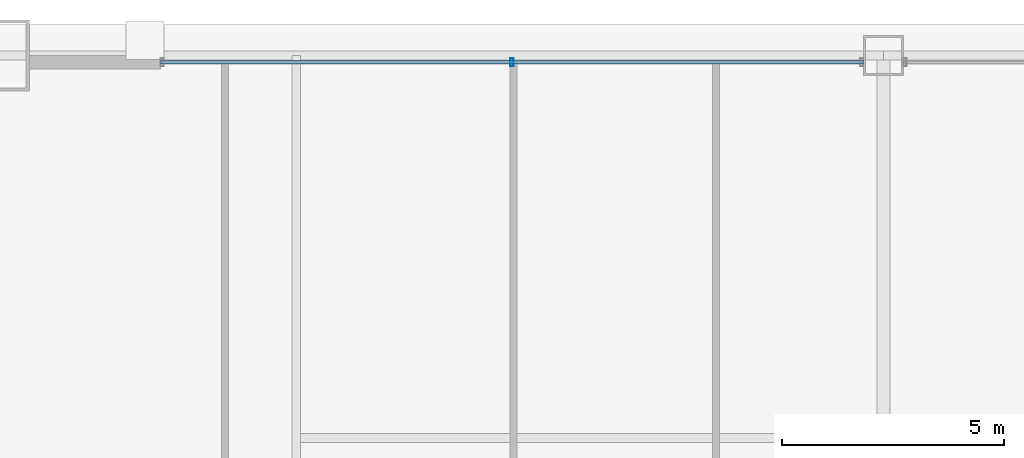
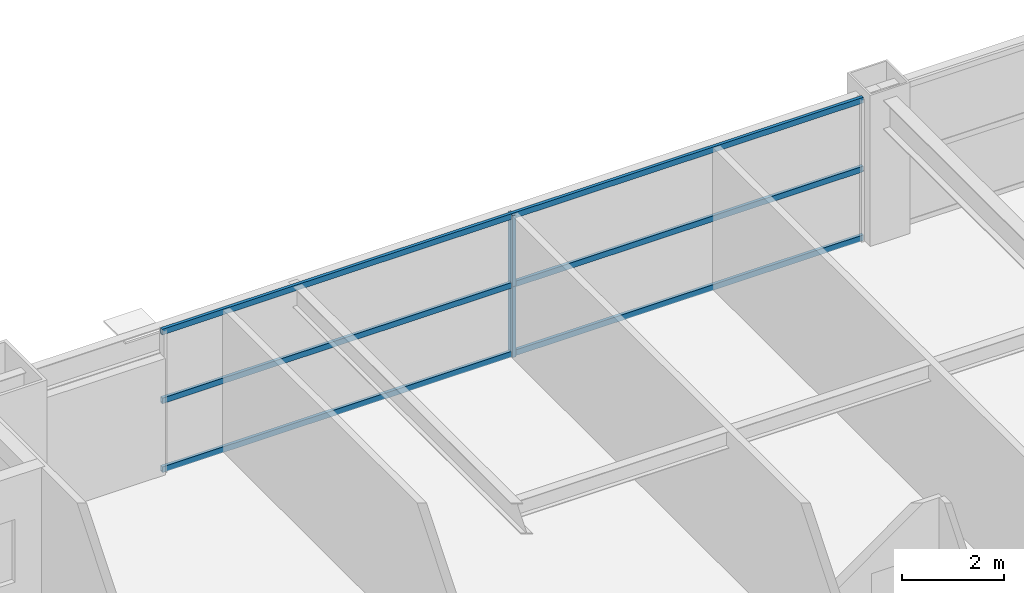
# One storey, part 24 of 38: 5 members, 1 element without a shape of its own.
"""IFC4 building model written with IfcOpenShell, lengths in metres."""

from ifc_helpers import new_model, si_unit, direction, frame, origin, origin_2d, place, context, subcontext, project, spatial, hollow_rectangle, extrude, source, transform, mapped, material, layer, layer_set, material_profile, profile_set, type_object, element, aggregate, save


model = new_model("IFC4")

# Units and contexts
model_context = context("Model", 3, precision=1e-05, world=origin(), true_north=direction((0.0, 1.0)))
body_context = subcontext(model_context, "Body", "Model", "MODEL_VIEW")
ifc_project = project(units=[si_unit("LENGTHUNIT", "METRE"), si_unit("AREAUNIT", "SQUARE_METRE"), si_unit("VOLUMEUNIT", "CUBIC_METRE"), si_unit("PLANEANGLEUNIT", "RADIAN"), si_unit("MASSUNIT", "GRAM", prefix="KILO"), si_unit("THERMODYNAMICTEMPERATUREUNIT", "KELVIN"), si_unit("POWERUNIT", "WATT")], contexts=[model_context])

# Site, building, storey
site_placement = place(None, origin())
site = spatial("IfcSite", under=ifc_project, at=site_placement, CompositionType="ELEMENT")
building_placement = place(site_placement, origin())
building = spatial("IfcBuilding", under=site, at=building_placement, Name="Yuzanri Waterfront Tower", CompositionType="ELEMENT")
storey_placement = place(building_placement, frame((0.0, 0.0, 90.199951171875)))
storey = spatial("IfcBuildingStorey", under=building, at=storey_placement, Name="L23", CompositionType="ELEMENT", Elevation=90.199951171875)

# Curtain wall, members
ifc_material_1 = material(Name="Anodized Architectural Bronze", Category="metal")
ifc_layer = layer(ifc_material_1, 0.159912109375)
ifc_layer_set = layer_set([ifc_layer], Name="Anodized Architectural Bronze")
curtain_wall_type = type_object("IfcCurtainWallType", Name="Anodized Bronze Hotel Upper-Tier Solar-Control Unitized Curtain Wall 7800", PredefinedType="NOTDEFINED", material=ifc_layer_set)
curtain_wall_placement = place(storey_placement, origin())
curtain_wall = element("IfcCurtainWall", 1, at=curtain_wall_placement, inside=storey, type_object=curtain_wall_type, Name="L23 Curtain Wall CW-L23-NL", PredefinedType="NOTDEFINED")
ifc_material_2 = material(Name="Anodized Architectural Bronze", Category="metal")
ifc_material_profile_1 = material_profile(ifc_material_2, hollow_rectangle(XDim=0.070068359375, YDim=0.179931640625, WallThickness=0.00390625, at=origin_2d()), Name="CWM 70x180")
ifc_profile_set_1 = profile_set([ifc_material_profile_1], Name="Anodized Architectural Bronze")
member_type_1 = type_object("IfcMemberType", Name="Anodized Bronze Standard Curtain-Wall Mullion 70x180", PredefinedType="MULLION", material=ifc_profile_set_1)
shared_shape_1 = source(origin(), body_context, "Body", "SweptSolid", [
    extrude(hollow_rectangle(XDim=0.070068359375, YDim=0.179931640625, WallThickness=0.00390625, at=origin_2d()), origin(), (0.0, 0.0, 1.0), 1.68798828125),
])
member_1_placement = place(storey_placement, frame((28.64990234375, 49.25, 0.0), z_axis=(0.0, 0.0, 1.0), x_axis=(1.0, 0.0, 0.0)))
member_1 = element("IfcMember", 2, at=member_1_placement, type_object=member_type_1, Name="CW-L23-NL Lower Mullion 01", PredefinedType="MULLION", context=body_context, shape_type="MappedRepresentation", body=[
    mapped(shared_shape_1, transform((0.0, 0.0, 0.0), scale=1.0)),
])
member_2_placement = place(storey_placement, frame((28.64990234375, 49.25, 1.692138671875), z_axis=(0.0, 0.0, 1.0), x_axis=(1.0, 0.0, 0.0)))
member_2 = element("IfcMember", 3, at=member_2_placement, type_object=member_type_1, Name="CW-L23-NL Upper Mullion 01", PredefinedType="MULLION", context=body_context, shape_type="MappedRepresentation", body=[
    mapped(shared_shape_1, transform((0.0, 0.0, 0.0), scale=1.0)),
])
ifc_material_3 = material(Name="Anodized Architectural Bronze", Category="metal")
ifc_material_profile_2 = material_profile(ifc_material_3, hollow_rectangle(XDim=0.070068359375, YDim=0.135009765625, WallThickness=0.00341796875, at=origin_2d()), Name="CWT 70x135")
ifc_profile_set_2 = profile_set([ifc_material_profile_2], Name="Anodized Architectural Bronze")
member_type_2 = type_object("IfcMemberType", Name="Anodized Bronze Standard Curtain-Wall Transom 70x135", PredefinedType="USERDEFINED", material=ifc_profile_set_2)
shared_shape_2 = source(origin(), body_context, "Body", "SweptSolid", [
    extrude(hollow_rectangle(XDim=0.070068359375, YDim=0.135009765625, WallThickness=0.00341796875, at=origin_2d()), origin(), (0.0, 0.0, 1.0), 15.800048828125),
])
member_3_placement = place(storey_placement, frame((20.75, 49.25, 0.050048828125), z_axis=(1.0, 0.0, 0.0), x_axis=(0.0, 1.0, 0.0)))
member_3 = element("IfcMember", 4, at=member_3_placement, type_object=member_type_2, Name="CW-L23-NL Transom 1", ObjectType="TRANSOM", PredefinedType="USERDEFINED", context=body_context, shape_type="MappedRepresentation", body=[
    mapped(shared_shape_2, transform((0.0, 0.0, 0.0), scale=1.0)),
])
member_4_placement = place(storey_placement, frame((20.75, 49.25, 1.68994140625), z_axis=(1.0, 0.0, 0.0), x_axis=(0.0, 1.0, 0.0)))
member_4 = element("IfcMember", 5, at=member_4_placement, type_object=member_type_2, Name="CW-L23-NL Transom 2", ObjectType="TRANSOM", PredefinedType="USERDEFINED", context=body_context, shape_type="MappedRepresentation", body=[
    mapped(shared_shape_2, transform((0.0, 0.0, 0.0), scale=1.0)),
])
member_5_placement = place(storey_placement, frame((20.75, 49.25, 3.330078125), z_axis=(1.0, 0.0, 0.0), x_axis=(0.0, 1.0, 0.0)))
member_5 = element("IfcMember", 6, at=member_5_placement, type_object=member_type_2, Name="CW-L23-NL Transom 3", ObjectType="TRANSOM", PredefinedType="USERDEFINED", context=body_context, shape_type="MappedRepresentation", body=[
    mapped(shared_shape_2, transform((0.0, 0.0, 0.0), scale=1.0)),
])
aggregate(curtain_wall, [member_1, member_2, member_3, member_4, member_5])

save(model, "model.ifc")
